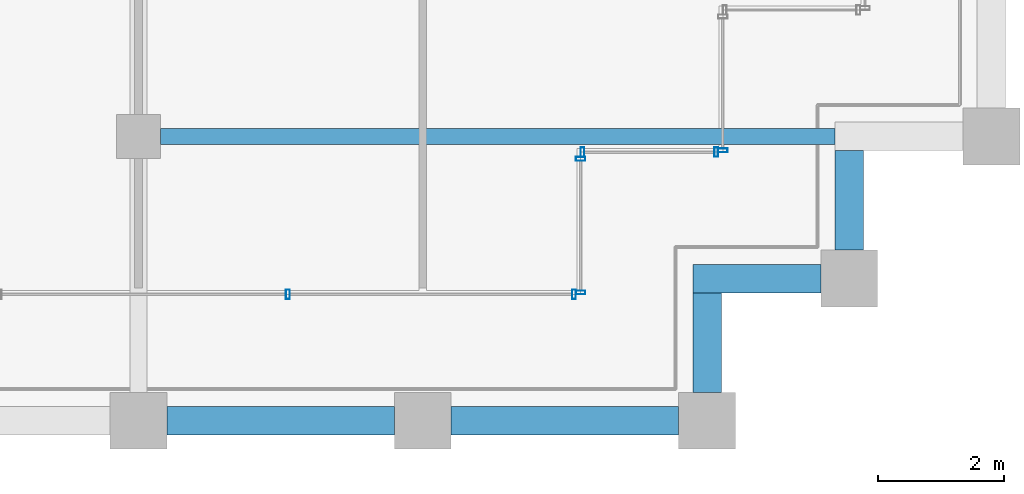
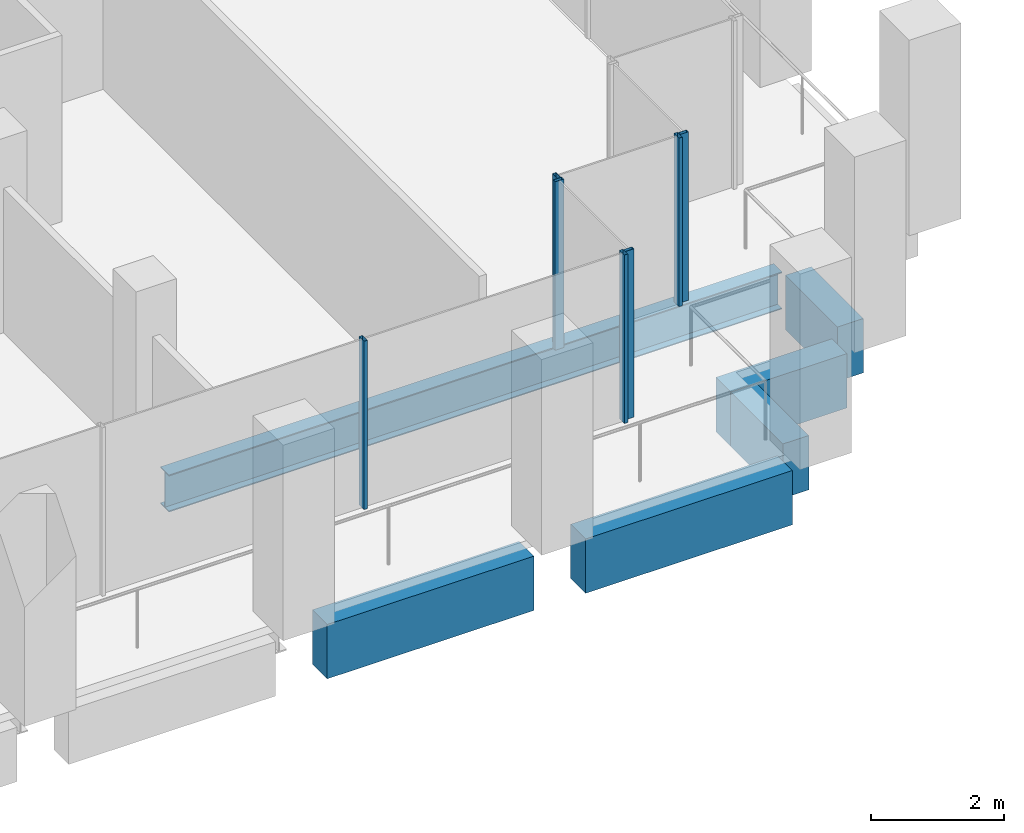
# One storey, part 12 of 40: 7 members, 6 beams, 4 elements without a shape of their own.
"""IFC4 building model written with IfcOpenShell, lengths in metres."""

from ifc_helpers import new_model, si_unit, direction, frame, origin, origin_2d, place, context, subcontext, project, spatial, rectangle, hollow_rectangle, i_section, extrude, material, material_profile, profile_set, type_object, element, aggregate, save


model = new_model("IFC4")

# Units and contexts
model_context = context("Model", 3, precision=1e-05, world=origin(), true_north=direction((0.0, 1.0)))
body_context = subcontext(model_context, "Body", "Model", "MODEL_VIEW")
ifc_project = project(units=[si_unit("LENGTHUNIT", "METRE"), si_unit("AREAUNIT", "SQUARE_METRE"), si_unit("VOLUMEUNIT", "CUBIC_METRE"), si_unit("PLANEANGLEUNIT", "RADIAN"), si_unit("MASSUNIT", "GRAM", prefix="KILO")], contexts=[model_context])

# Site, building, storey
site_placement = place(None, origin())
site = spatial("IfcSite", under=ifc_project, at=site_placement, CompositionType="ELEMENT")
building_placement = place(site_placement, origin())
building = spatial("IfcBuilding", under=site, at=building_placement, Name="Altepetl Exchange Towers", CompositionType="ELEMENT")
storey_placement = place(building_placement, frame((0.0, 0.0, 169.0)))
storey = spatial("IfcBuildingStorey", under=building, at=storey_placement, Name="L42", CompositionType="ELEMENT", Elevation=169.0)

# Beam
ifc_material_1 = material(Name="Steel S355", Category="steel")
ifc_material_profile_1 = material_profile(ifc_material_1, i_section(OverallWidth=0.25390625, OverallDepth=0.68408203125, WebThickness=0.012451171875, FlangeThickness=0.018798828125, at=origin_2d()), Name="W27X94")
ifc_profile_set_1 = profile_set([ifc_material_profile_1], Name="Steel S355")
beam_type_1 = type_object("IfcBeamType", Name="Floor beam W27X94", PredefinedType="BEAM", material=ifc_profile_set_1)
beam_1_placement = place(storey_placement, frame((58.85009765625, 31.5, -0.491943359375), z_axis=(1.0, 0.0, 0.0), x_axis=(0.0, 1.0, 0.0)))
element("IfcBeam", 1, at=beam_1_placement, inside=storey, type_object=beam_type_1, Name="bm:A:L42:006", PredefinedType="BEAM", context=body_context, shape_type="SweptSolid", body=[
    extrude(i_section(OverallWidth=0.25390625, OverallDepth=0.68408203125, WebThickness=0.012451171875, FlangeThickness=0.018798828125, at=origin_2d()), origin(), (0.0, 0.0, 1.0), 10.6748046875),
])

# Curtain wall, members
ifc_material_2 = material(Name="Aluminium 6063-T6 glazing", Category="aluminium")
curtain_wall_type = type_object("IfcCurtainWallType", Name="Loggia glazing system", PredefinedType="NOTDEFINED", material=ifc_material_2)
curtain_wall_1_placement = place(storey_placement, origin())
curtain_wall_1 = element("IfcCurtainWall", 2, at=curtain_wall_1_placement, inside=storey, type_object=curtain_wall_type, Name="CW1 run", PredefinedType="NOTDEFINED")
ifc_material_3 = material(Name="Aluminium 6063-T6", Category="aluminium")
ifc_material_profile_2 = material_profile(ifc_material_3, hollow_rectangle(XDim=0.06005859375, YDim=0.14990234375, WallThickness=0.0029296875, at=origin_2d()), Name="Mullion 60x150 aluminium")
ifc_profile_set_2 = profile_set([ifc_material_profile_2], Name="Aluminium 6063-T6")
member_type = type_object("IfcMemberType", Name="Mullion 60x150 aluminium", PredefinedType="MULLION", material=ifc_profile_set_2)
member_1_placement = place(storey_placement, frame((60.8642578125, 29.0, 0.0)))
member_1 = element("IfcMember", 3, at=member_1_placement, type_object=member_type, Name="MU1 mullion", PredefinedType="MULLION", context=body_context, shape_type="SweptSolid", body=[
    extrude(hollow_rectangle(XDim=0.06005859375, YDim=0.14990234375, WallThickness=0.0029296875, at=origin_2d()), origin(), (0.0, 0.0, 1.0), 3.10009765625),
])
member_2_placement = place(storey_placement, frame((65.39501953125, 29.0, 0.0)))
member_2 = element("IfcMember", 4, at=member_2_placement, type_object=member_type, Name="MU1 mullion", PredefinedType="MULLION", context=body_context, shape_type="SweptSolid", body=[
    extrude(hollow_rectangle(XDim=0.06005859375, YDim=0.14990234375, WallThickness=0.0029296875, at=origin_2d()), origin(), (0.0, 0.0, 1.0), 3.10009765625),
])
aggregate(curtain_wall_1, [member_1, member_2])

curtain_wall_2_placement = place(storey_placement, origin())
curtain_wall_2 = element("IfcCurtainWall", 5, at=curtain_wall_2_placement, inside=storey, type_object=curtain_wall_type, Name="CW1 run", PredefinedType="NOTDEFINED")
member_3_placement = place(storey_placement, frame((65.5, 29.030029296875, 0.0), z_axis=(0.0, 0.0, 1.0), x_axis=(0.0, 1.0, 0.0)))
member_3 = element("IfcMember", 6, at=member_3_placement, type_object=member_type, Name="MU1 mullion", PredefinedType="MULLION", context=body_context, shape_type="SweptSolid", body=[
    extrude(hollow_rectangle(XDim=0.06005859375, YDim=0.14990234375, WallThickness=0.0029296875, at=origin_2d()), origin(), (0.0, 0.0, 1.0), 3.10009765625),
])
member_4_placement = place(storey_placement, frame((65.5, 31.14501953125, 0.0), z_axis=(0.0, 0.0, 1.0), x_axis=(0.0, 1.0, 0.0)))
member_4 = element("IfcMember", 7, at=member_4_placement, type_object=member_type, Name="MU1 mullion", PredefinedType="MULLION", context=body_context, shape_type="SweptSolid", body=[
    extrude(hollow_rectangle(XDim=0.06005859375, YDim=0.14990234375, WallThickness=0.0029296875, at=origin_2d()), origin(), (0.0, 0.0, 1.0), 3.10009765625),
])
aggregate(curtain_wall_2, [member_3, member_4])

curtain_wall_3_placement = place(storey_placement, origin())
curtain_wall_3 = element("IfcCurtainWall", 8, at=curtain_wall_3_placement, inside=storey, type_object=curtain_wall_type, Name="CW1 run", PredefinedType="NOTDEFINED")
member_5_placement = place(storey_placement, frame((65.530029296875, 31.25, 0.0)))
member_5 = element("IfcMember", 9, at=member_5_placement, type_object=member_type, Name="MU1 mullion", PredefinedType="MULLION", context=body_context, shape_type="SweptSolid", body=[
    extrude(hollow_rectangle(XDim=0.06005859375, YDim=0.14990234375, WallThickness=0.0029296875, at=origin_2d()), origin(), (0.0, 0.0, 1.0), 3.10009765625),
])
member_6_placement = place(storey_placement, frame((67.64501953125, 31.25, 0.0)))
member_6 = element("IfcMember", 10, at=member_6_placement, type_object=member_type, Name="MU1 mullion", PredefinedType="MULLION", context=body_context, shape_type="SweptSolid", body=[
    extrude(hollow_rectangle(XDim=0.06005859375, YDim=0.14990234375, WallThickness=0.0029296875, at=origin_2d()), origin(), (0.0, 0.0, 1.0), 3.10009765625),
])
aggregate(curtain_wall_3, [member_5, member_6])

# Curtain wall, member
curtain_wall_4_placement = place(storey_placement, origin())
curtain_wall_4 = element("IfcCurtainWall", 11, at=curtain_wall_4_placement, inside=storey, type_object=curtain_wall_type, Name="CW1 run", PredefinedType="NOTDEFINED")
member_7_placement = place(storey_placement, frame((67.75, 31.280029296875, 0.0), z_axis=(0.0, 0.0, 1.0), x_axis=(0.0, 1.0, 0.0)))
member_7 = element("IfcMember", 12, at=member_7_placement, type_object=member_type, Name="MU1 mullion", PredefinedType="MULLION", context=body_context, shape_type="SweptSolid", body=[
    extrude(hollow_rectangle(XDim=0.06005859375, YDim=0.14990234375, WallThickness=0.0029296875, at=origin_2d()), origin(), (0.0, 0.0, 1.0), 3.10009765625),
])
aggregate(curtain_wall_4, [member_7])

# Beams
ifc_material_4 = material(Name="Concrete C50/60 precast with cantera amarilla facing", Category="concrete")
ifc_material_profile_3 = material_profile(ifc_material_4, rectangle(XDim=0.449951171875, YDim=1.0, at=origin_2d()), Name="450 x 1000")
ifc_profile_set_3 = profile_set([ifc_material_profile_3], Name="Concrete C50/60 precast with cantera amarilla facing")
beam_type_2 = type_object("IfcBeamType", Name="Spandrel beam 450x1000 cantera amarilla", PredefinedType="SPANDREL", material=ifc_profile_set_3)
for number, where, z_axis, x_axis, name in (
    (13, (58.949951171875, 27.0, -0.64990234375), (1.0, 0.0, 0.0), (0.0, 1.0, 0.0), "sp:A:L42:006"),
    (14, (63.449951171875, 27.0, -0.64990234375), (1.0, 0.0, 0.0), (0.0, 1.0, 0.0), "sp:A:L42:007"),
):
    element("IfcBeam", number, at=place(storey_placement, frame(where, z_axis=z_axis, x_axis=x_axis)), inside=storey, type_object=beam_type_2, Name=name, PredefinedType="SPANDREL", context=body_context, shape_type="SweptSolid", body=[
        extrude(rectangle(XDim=0.449951171875, YDim=1.0, at=origin_2d()), origin(), (0.0, 0.0, 1.0), 3.60009765625),
    ])
beam_2_placement = place(storey_placement, frame((67.5, 27.449951171875, -0.64990234375), z_axis=(0.0, 1.0, 0.0), x_axis=(-1.0, 0.0, 0.0)))
element("IfcBeam", 15, at=beam_2_placement, inside=storey, type_object=beam_type_2, Name="sp:A:L42:008", PredefinedType="SPANDREL", context=body_context, shape_type="SweptSolid", body=[
    extrude(rectangle(XDim=0.449951171875, YDim=1.0, at=origin_2d()), origin(), (0.0, 0.0, 1.0), 1.574951171875),
])
beam_3_placement = place(storey_placement, frame((67.27490234375, 29.25, -0.64990234375), z_axis=(1.0, 0.0, 0.0), x_axis=(0.0, 1.0, 0.0)))
element("IfcBeam", 16, at=beam_3_placement, inside=storey, type_object=beam_type_2, Name="sp:A:L42:009", PredefinedType="SPANDREL", context=body_context, shape_type="SweptSolid", body=[
    extrude(rectangle(XDim=0.449951171875, YDim=1.0, at=origin_2d()), origin(), (0.0, 0.0, 1.0), 2.025146484375),
])
beam_4_placement = place(storey_placement, frame((69.75, 29.699951171875, -0.64990234375), z_axis=(0.0, 1.0, 0.0), x_axis=(-1.0, 0.0, 0.0)))
element("IfcBeam", 17, at=beam_4_placement, inside=storey, type_object=beam_type_2, Name="sp:A:L42:010", PredefinedType="SPANDREL", context=body_context, shape_type="SweptSolid", body=[
    extrude(rectangle(XDim=0.449951171875, YDim=1.0, at=origin_2d()), origin(), (0.0, 0.0, 1.0), 1.574951171875),
])

save(model, "model.ifc")
